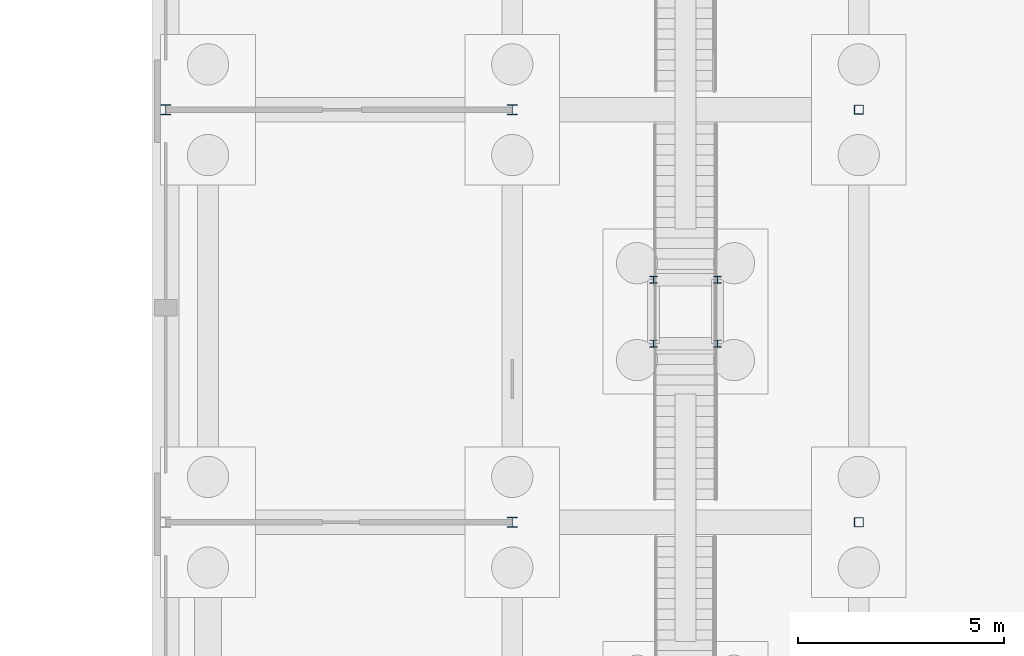
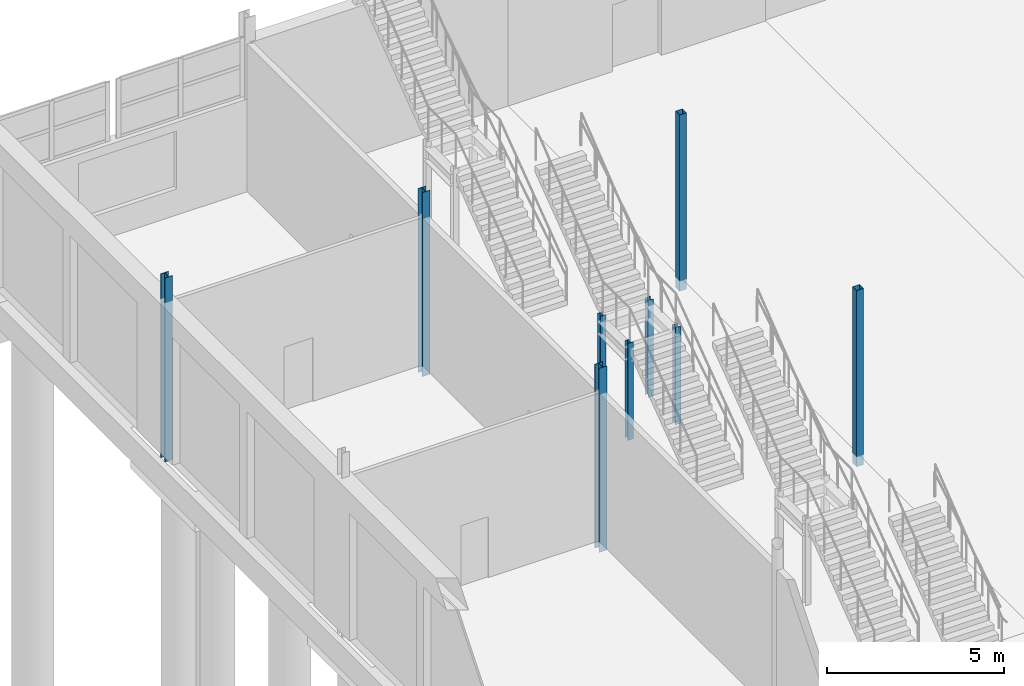
# One storey, part 26 of 139: 9 columns.
"""IFC4 building model written with IfcOpenShell, lengths in metres."""

from ifc_helpers import new_model, si_unit, direction, frame, origin, origin_2d, place, context, subcontext, project, spatial, hollow_rectangle, i_section, extrude, material, material_profile, profile_set, type_object, element, save


model = new_model("IFC4")

# Units and contexts
model_context = context("Model", 3, precision=1e-05, world=origin(), true_north=direction((0.0, 1.0)))
body_context = subcontext(model_context, "Body", "Model", "MODEL_VIEW")
ifc_project = project(units=[si_unit("LENGTHUNIT", "METRE"), si_unit("AREAUNIT", "SQUARE_METRE"), si_unit("VOLUMEUNIT", "CUBIC_METRE"), si_unit("PLANEANGLEUNIT", "RADIAN"), si_unit("MASSUNIT", "GRAM", prefix="KILO")], contexts=[model_context])

# Site, building, storey
site_placement = place(None, origin())
site = spatial("IfcSite", under=ifc_project, at=site_placement, CompositionType="ELEMENT")
building_placement = place(site_placement, origin())
building = spatial("IfcBuilding", under=site, at=building_placement, Name="Kazenagashi Tramway Depot", CompositionType="ELEMENT")
storey_placement = place(building_placement, origin())
storey = spatial("IfcBuildingStorey", under=building, at=storey_placement, Name="L01", CompositionType="ELEMENT", Elevation=0.0)

# Columns
ifc_material_1 = material(Name="Steel SN490B", Category="steel")
ifc_material_profile_1 = material_profile(ifc_material_1, i_section(OverallWidth=0.25, OverallDepth=0.25, WebThickness=0.009, FlangeThickness=0.014, at=origin_2d()), Name="H-250x250x9x14")
ifc_profile_set_1 = profile_set([ifc_material_profile_1], Name="Steel SN490B")
column_type_1 = type_object("IfcColumnType", Name="C-06", PredefinedType="COLUMN", material=ifc_profile_set_1)
for number, where, z_axis, x_axis, name in (
    (1, (53.2, 110.0, -0.35), (0.0, 0.0, 1.0), (1.0, 0.0, 0.0), "Column C-06 COL-0138"),
    (2, (44.8, 120.0, -0.35), (0.0, 0.0, 1.0), (1.0, 0.0, 0.0), "Column C-06 COL-0140"),
    (3, (53.2, 120.0, -0.35), (0.0, 0.0, 1.0), (1.0, 0.0, 0.0), "Column C-06 COL-0141"),
):
    element("IfcColumn", number, at=place(storey_placement, frame(where, z_axis=z_axis, x_axis=x_axis)), inside=storey, type_object=column_type_1, Name=name, PredefinedType="COLUMN", context=body_context, shape_type="SweptSolid", body=[
        extrude(i_section(OverallWidth=0.25, OverallDepth=0.25, WebThickness=0.009, FlangeThickness=0.014, at=origin_2d()), origin(), (0.0, 0.0, 1.0), 6.35),
    ])
ifc_material_2 = material(Name="Steel SN400B", Category="steel")
ifc_material_profile_2 = material_profile(ifc_material_2, i_section(OverallWidth=0.175, OverallDepth=0.175, WebThickness=0.0075, FlangeThickness=0.011, at=origin_2d()), Name="H-175x175x7.5x11")
ifc_profile_set_2 = profile_set([ifc_material_profile_2], Name="Steel SN400B")
column_type_2 = type_object("IfcColumnType", Name="C-08", PredefinedType="COLUMN", material=ifc_profile_set_2)
for number, where, z_axis, x_axis, name in (
    (4, (56.625, 114.33, -0.35), (0.0, 0.0, 1.0), (1.0, 0.0, 0.0), "Column C-08 COL-0887"),
    (5, (56.625, 115.88, -0.35), (0.0, 0.0, 1.0), (1.0, 0.0, 0.0), "Column C-08 COL-0888"),
    (6, (58.175, 114.33, -0.35), (0.0, 0.0, 1.0), (1.0, 0.0, 0.0), "Column C-08 COL-0889"),
    (7, (58.175, 115.88, -0.35), (0.0, 0.0, 1.0), (1.0, 0.0, 0.0), "Column C-08 COL-0890"),
):
    element("IfcColumn", number, at=place(storey_placement, frame(where, z_axis=z_axis, x_axis=x_axis)), inside=storey, type_object=column_type_2, Name=name, PredefinedType="COLUMN", context=body_context, shape_type="SweptSolid", body=[
        extrude(i_section(OverallWidth=0.175, OverallDepth=0.175, WebThickness=0.0075, FlangeThickness=0.011, at=origin_2d()), origin(), (0.0, 0.0, 1.0), 3.35),
    ])
ifc_material_3 = material(Name="Steel STKR490", Category="steel")
ifc_material_profile_3 = material_profile(ifc_material_3, hollow_rectangle(XDim=0.225, YDim=0.225, WallThickness=0.009, at=origin_2d()), Name="SHS-225x225x9")
ifc_profile_set_3 = profile_set([ifc_material_profile_3], Name="Steel STKR490")
column_type_3 = type_object("IfcColumnType", Name="C-21", PredefinedType="COLUMN", material=ifc_profile_set_3)
for number, where, z_axis, x_axis, name in (
    (8, (61.6, 110.0, -0.35), (0.0, 0.0, 1.0), (1.0, 0.0, 0.0), "Column C-21 COL-0139"),
    (9, (61.6, 120.0, -0.35), (0.0, 0.0, 1.0), (1.0, 0.0, 0.0), "Column C-21 COL-0142"),
):
    element("IfcColumn", number, at=place(storey_placement, frame(where, z_axis=z_axis, x_axis=x_axis)), inside=storey, type_object=column_type_3, Name=name, PredefinedType="COLUMN", context=body_context, shape_type="SweptSolid", body=[
        extrude(hollow_rectangle(XDim=0.225, YDim=0.225, WallThickness=0.009, at=origin_2d()), origin(), (0.0, 0.0, 1.0), 6.085),
    ])

save(model, "model.ifc")
